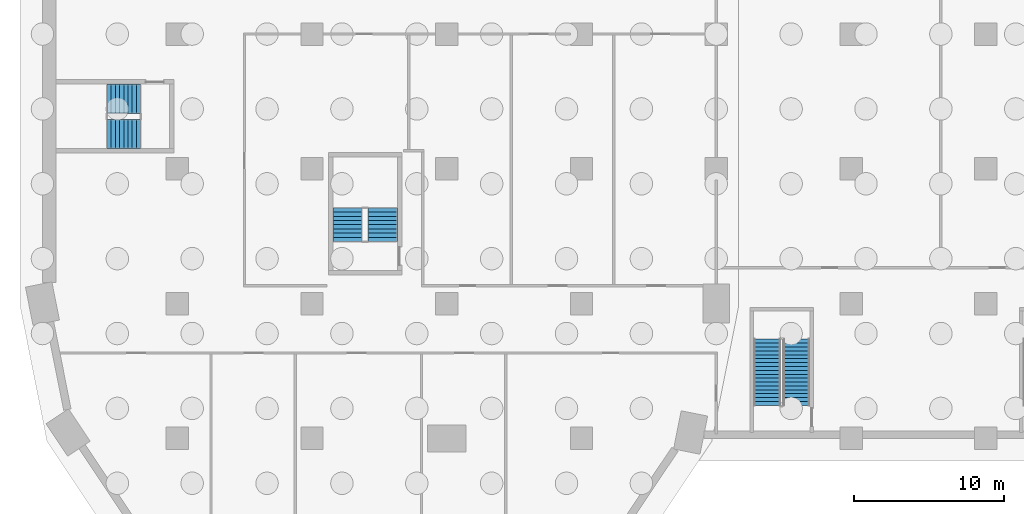
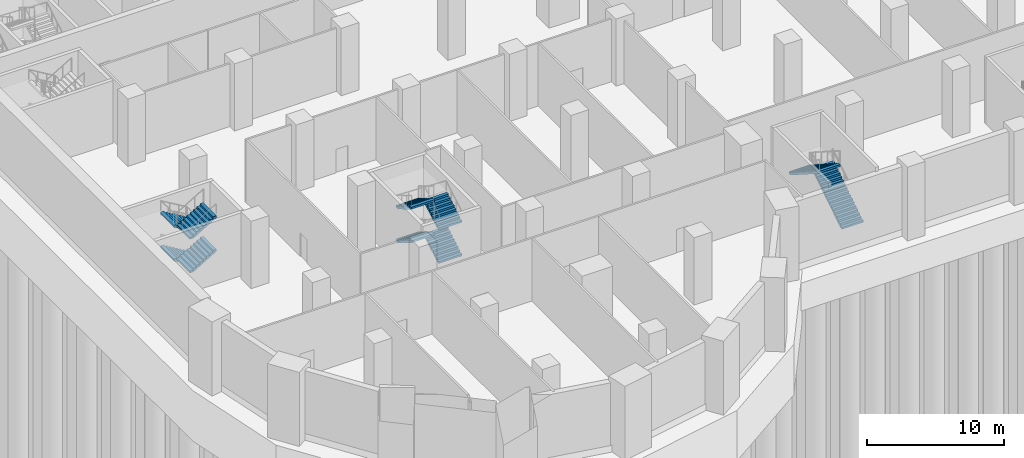
# One storey, part 11 of 25: 10 stair flights, 3 elements without a shape of their own.
"""IFC4 building model written with IfcOpenShell, lengths in metres."""

from ifc_helpers import new_model, si_unit, direction, frame, origin, place, context, subcontext, project, spatial, polyline, outline, extrude, material, type_object, element, aggregate, save


model = new_model("IFC4")

# Units and contexts
model_context = context("Model", 3, precision=1e-05, world=origin(), true_north=direction((0.0, 1.0)))
body_context = subcontext(model_context, "Body", "Model", "MODEL_VIEW")
ifc_project = project(units=[si_unit("LENGTHUNIT", "METRE"), si_unit("AREAUNIT", "SQUARE_METRE"), si_unit("VOLUMEUNIT", "CUBIC_METRE"), si_unit("PLANEANGLEUNIT", "RADIAN"), si_unit("MASSUNIT", "GRAM", prefix="KILO")], contexts=[model_context])

# Site, building, storey
site_placement = place(None, origin())
site = spatial("IfcSite", under=ifc_project, at=site_placement, CompositionType="ELEMENT")
building_placement = place(site_placement, origin())
building = spatial("IfcBuilding", under=site, at=building_placement, Name="Hunhe Ridgeline Campus", CompositionType="ELEMENT")
storey_placement = place(building_placement, frame((0.0, 0.0, -6.0)))
storey = spatial("IfcBuildingStorey", under=building, at=storey_placement, Name="B1", CompositionType="ELEMENT", Elevation=-6.0)

# Stair, stair flights
ifc_material = material(Name="Concrete C40", Category="concrete")
stair_type_1 = type_object("IfcStairType", Name="Podium exit stair 1800", PredefinedType="HALF_TURN_STAIR", material=ifc_material)
stair_1_placement = place(storey_placement, origin())
stair_1 = element("IfcStair", 1, at=stair_1_placement, inside=storey, type_object=stair_type_1, Name="B1 podium stair PS1", PredefinedType="HALF_TURN_STAIR")
stair_flight_type_1 = type_object("IfcStairFlightType", Name="Podium stair flight 1800", PredefinedType="STRAIGHT", material=ifc_material)
stair_flight_1_placement = place(storey_placement, frame((50.35009765625, 20.199951171875, 0.0), z_axis=(0.0, 0.0, 1.0), x_axis=(0.0, 1.0, 0.0)))
stair_flight_1 = element("IfcStairFlight", 2, at=stair_flight_1_placement, type_object=stair_flight_type_1, Name="PS1 flight 1", NumberOfRisers=18, NumberOfTreads=17, PredefinedType="STRAIGHT", RiserHeight=0.166666667, TreadLength=0.26, context=body_context, shape_type="SweptSolid", body=[
    extrude(outline(polyline([(0.0, 0.0), (0.0, 0.166748046875), (0.260009765625, 0.166748046875), (0.260009765625, 0.333251953125), (0.52001953125, 0.333251953125), (0.52001953125, 0.5), (0.780029296875, 0.5), (0.780029296875, 0.666748046875), (1.0400390625, 0.666748046875), (1.0400390625, 0.833251953125), (1.300048828125, 0.833251953125), (1.300048828125, 1.0), (1.56005859375, 1.0), (1.56005859375, 1.166748046875), (1.820068359375, 1.166748046875), (1.820068359375, 1.333251953125), (2.080078125, 1.333251953125), (2.080078125, 1.5), (2.340087890625, 1.5), (2.340087890625, 1.666748046875), (2.60009765625, 1.666748046875), (2.60009765625, 1.833251953125), (2.860107421875, 1.833251953125), (2.860107421875, 2.0), (3.1201171875, 2.0), (3.1201171875, 2.166748046875), (3.3798828125, 2.166748046875), (3.3798828125, 2.333251953125), (3.639892578125, 2.333251953125), (3.639892578125, 2.5), (3.89990234375, 2.5), (3.89990234375, 2.666748046875), (4.159912109375, 2.666748046875), (4.159912109375, 2.833251953125), (4.419921875, 2.833251953125), (4.419921875, 3.0), (4.419921875, 2.6552734375), (0.27783203125, 0.0), (0.0, 0.0)])), frame((0.0, 0.89990234375, 0.0), z_axis=(0.0, -1.0, 0.0), x_axis=(1.0, 0.0, 0.0)), (0.0, 0.0, 1.0), 1.800048828125),
])
stair_flight_2_placement = place(storey_placement, frame((48.39990234375, 24.6201171875, 3.0), z_axis=(0.0, 0.0, 1.0), x_axis=(0.0, -1.0, 0.0)))
stair_flight_2 = element("IfcStairFlight", 3, at=stair_flight_2_placement, type_object=stair_flight_type_1, Name="PS1 flight 2", NumberOfRisers=18, NumberOfTreads=17, PredefinedType="STRAIGHT", RiserHeight=0.166666667, TreadLength=0.26, context=body_context, shape_type="SweptSolid", body=[
    extrude(outline(polyline([(0.0, 0.0), (0.0, 0.166748046875), (0.260009765625, 0.166748046875), (0.260009765625, 0.333251953125), (0.52001953125, 0.333251953125), (0.52001953125, 0.5), (0.780029296875, 0.5), (0.780029296875, 0.666748046875), (1.0400390625, 0.666748046875), (1.0400390625, 0.833251953125), (1.300048828125, 0.833251953125), (1.300048828125, 1.0), (1.56005859375, 1.0), (1.56005859375, 1.166748046875), (1.820068359375, 1.166748046875), (1.820068359375, 1.333251953125), (2.080078125, 1.333251953125), (2.080078125, 1.5), (2.340087890625, 1.5), (2.340087890625, 1.666748046875), (2.60009765625, 1.666748046875), (2.60009765625, 1.833251953125), (2.860107421875, 1.833251953125), (2.860107421875, 2.0), (3.1201171875, 2.0), (3.1201171875, 2.166748046875), (3.3798828125, 2.166748046875), (3.3798828125, 2.333251953125), (3.639892578125, 2.333251953125), (3.639892578125, 2.5), (3.89990234375, 2.5), (3.89990234375, 2.666748046875), (4.159912109375, 2.666748046875), (4.159912109375, 2.833251953125), (4.419921875, 2.833251953125), (4.419921875, 3.0), (4.419921875, 2.6552734375), (0.27783203125, 0.0), (0.0, 0.0)])), frame((0.0, 0.89990234375, 0.0), z_axis=(0.0, -1.0, 0.0), x_axis=(1.0, 0.0, 0.0)), (0.0, 0.0, 1.0), 1.800048828125),
])
aggregate(stair_1, [stair_flight_1, stair_flight_2])

stair_type_2 = type_object("IfcStairType", Name="Reinforced concrete dog-leg stair 1950 Concrete C40", PredefinedType="HALF_TURN_STAIR", material=ifc_material)
stair_2_placement = place(storey_placement, origin())
stair_2 = element("IfcStair", 4, at=stair_2_placement, inside=storey, type_object=stair_type_2, Name="B1 W3", PredefinedType="HALF_TURN_STAIR")
stair_flight_type_2 = type_object("IfcStairFlightType", Name="Reinforced concrete stair flight 1950 Concrete C40", PredefinedType="STRAIGHT", material=ifc_material)
stair_flight_3_placement = place(storey_placement, frame((22.72509765625, 31.14990234375, 0.0), z_axis=(0.0, 0.0, 1.0), x_axis=(0.0, 1.0, 0.0)))
stair_flight_3 = element("IfcStairFlight", 5, at=stair_flight_3_placement, type_object=stair_flight_type_2, Name="ST9 flight 1", NumberOfRisers=9, NumberOfTreads=8, PredefinedType="STRAIGHT", RiserHeight=0.166666667, TreadLength=0.28, context=body_context, shape_type="SweptSolid", body=[
    extrude(outline(polyline([(0.0, 0.0), (0.0, 0.166748046875), (0.280029296875, 0.166748046875), (0.280029296875, 0.333251953125), (0.56005859375, 0.333251953125), (0.56005859375, 0.5), (0.840087890625, 0.5), (0.840087890625, 0.666748046875), (1.1201171875, 0.666748046875), (1.1201171875, 0.833251953125), (1.39990234375, 0.833251953125), (1.39990234375, 1.0), (1.679931640625, 1.0), (1.679931640625, 1.166748046875), (1.9599609375, 1.166748046875), (1.9599609375, 1.333251953125), (2.239990234375, 1.333251953125), (2.239990234375, 1.5), (2.239990234375, 1.158935546875), (0.29296875, 0.0), (0.0, 0.0)])), frame((0.0, 0.97509765625, 0.0), z_axis=(0.0, -1.0, 0.0), x_axis=(1.0, 0.0, 0.0)), (0.0, 0.0, 1.0), 1.949951171875),
    extrude(outline(polyline([(0.030029296875, 0.030029296875), (0.030029296875, 0.13671875), (0.31005859375, 0.13671875), (0.31005859375, 0.30322265625), (0.590087890625, 0.30322265625), (0.590087890625, 0.469970703125), (0.8701171875, 0.469970703125), (0.8701171875, 0.63671875), (1.14990234375, 0.63671875), (1.14990234375, 0.80322265625), (1.429931640625, 0.80322265625), (1.429931640625, 0.969970703125), (1.7099609375, 0.969970703125), (1.7099609375, 1.13671875), (1.989990234375, 1.13671875), (1.989990234375, 1.30322265625), (2.2099609375, 1.30322265625), (2.2099609375, 1.17578125), (0.284912109375, 0.030029296875), (0.030029296875, 0.030029296875)])), frame((0.0, -0.070068359375, 0.0), z_axis=(0.0, -1.0, 0.0), x_axis=(1.0, 0.0, 0.0)), (0.0, 0.0, 1.0), 0.019775390625),
    extrude(outline(polyline([(0.030029296875, 0.030029296875), (0.030029296875, 0.13671875), (0.31005859375, 0.13671875), (0.31005859375, 0.30322265625), (0.590087890625, 0.30322265625), (0.590087890625, 0.469970703125), (0.8701171875, 0.469970703125), (0.8701171875, 0.63671875), (1.14990234375, 0.63671875), (1.14990234375, 0.80322265625), (1.429931640625, 0.80322265625), (1.429931640625, 0.969970703125), (1.7099609375, 0.969970703125), (1.7099609375, 1.13671875), (1.989990234375, 1.13671875), (1.989990234375, 1.30322265625), (2.2099609375, 1.30322265625), (2.2099609375, 1.17578125), (0.284912109375, 0.030029296875), (0.030029296875, 0.030029296875)])), frame((0.0, 0.010009765625, 0.0), z_axis=(0.0, -1.0, 0.0), x_axis=(1.0, 0.0, 0.0)), (0.0, 0.0, 1.0), 0.019775390625),
    extrude(outline(polyline([(0.030029296875, 0.030029296875), (0.030029296875, 0.13671875), (0.31005859375, 0.13671875), (0.31005859375, 0.30322265625), (0.590087890625, 0.30322265625), (0.590087890625, 0.469970703125), (0.8701171875, 0.469970703125), (0.8701171875, 0.63671875), (1.14990234375, 0.63671875), (1.14990234375, 0.80322265625), (1.429931640625, 0.80322265625), (1.429931640625, 0.969970703125), (1.7099609375, 0.969970703125), (1.7099609375, 1.13671875), (1.989990234375, 1.13671875), (1.989990234375, 1.30322265625), (2.2099609375, 1.30322265625), (2.2099609375, 1.17578125), (0.284912109375, 0.030029296875), (0.030029296875, 0.030029296875)])), frame((0.0, 0.090087890625, 0.0), z_axis=(0.0, -1.0, 0.0), x_axis=(1.0, 0.0, 0.0)), (0.0, 0.0, 1.0), 0.019775390625),
])
stair_flight_4_placement = place(storey_placement, frame((20.375, 33.389892578125, 1.5), z_axis=(0.0, 0.0, 1.0), x_axis=(0.0, -1.0, 0.0)))
stair_flight_4 = element("IfcStairFlight", 6, at=stair_flight_4_placement, type_object=stair_flight_type_2, Name="ST9 flight 2", NumberOfRisers=9, NumberOfTreads=8, PredefinedType="STRAIGHT", RiserHeight=0.166666667, TreadLength=0.28, context=body_context, shape_type="SweptSolid", body=[
    extrude(outline(polyline([(0.0, 0.0), (0.0, 0.166748046875), (0.280029296875, 0.166748046875), (0.280029296875, 0.333251953125), (0.56005859375, 0.333251953125), (0.56005859375, 0.5), (0.840087890625, 0.5), (0.840087890625, 0.666748046875), (1.1201171875, 0.666748046875), (1.1201171875, 0.833251953125), (1.39990234375, 0.833251953125), (1.39990234375, 1.0), (1.679931640625, 1.0), (1.679931640625, 1.166748046875), (1.9599609375, 1.166748046875), (1.9599609375, 1.333251953125), (2.239990234375, 1.333251953125), (2.239990234375, 1.5), (2.239990234375, 1.158935546875), (0.29296875, 0.0), (0.0, 0.0)])), frame((0.0, 0.97509765625, 0.0), z_axis=(0.0, -1.0, 0.0), x_axis=(1.0, 0.0, 0.0)), (0.0, 0.0, 1.0), 1.949951171875),
    extrude(outline(polyline([(0.030029296875, 0.030029296875), (0.030029296875, 0.13671875), (0.31005859375, 0.13671875), (0.31005859375, 0.30322265625), (0.590087890625, 0.30322265625), (0.590087890625, 0.469970703125), (0.8701171875, 0.469970703125), (0.8701171875, 0.63671875), (1.14990234375, 0.63671875), (1.14990234375, 0.80322265625), (1.429931640625, 0.80322265625), (1.429931640625, 0.969970703125), (1.7099609375, 0.969970703125), (1.7099609375, 1.13671875), (1.989990234375, 1.13671875), (1.989990234375, 1.30322265625), (2.2099609375, 1.30322265625), (2.2099609375, 1.17578125), (0.284912109375, 0.030029296875), (0.030029296875, 0.030029296875)])), frame((0.0, -0.070068359375, 0.0), z_axis=(0.0, -1.0, 0.0), x_axis=(1.0, 0.0, 0.0)), (0.0, 0.0, 1.0), 0.019775390625),
    extrude(outline(polyline([(0.030029296875, 0.030029296875), (0.030029296875, 0.13671875), (0.31005859375, 0.13671875), (0.31005859375, 0.30322265625), (0.590087890625, 0.30322265625), (0.590087890625, 0.469970703125), (0.8701171875, 0.469970703125), (0.8701171875, 0.63671875), (1.14990234375, 0.63671875), (1.14990234375, 0.80322265625), (1.429931640625, 0.80322265625), (1.429931640625, 0.969970703125), (1.7099609375, 0.969970703125), (1.7099609375, 1.13671875), (1.989990234375, 1.13671875), (1.989990234375, 1.30322265625), (2.2099609375, 1.30322265625), (2.2099609375, 1.17578125), (0.284912109375, 0.030029296875), (0.030029296875, 0.030029296875)])), frame((0.0, 0.010009765625, 0.0), z_axis=(0.0, -1.0, 0.0), x_axis=(1.0, 0.0, 0.0)), (0.0, 0.0, 1.0), 0.019775390625),
    extrude(outline(polyline([(0.030029296875, 0.030029296875), (0.030029296875, 0.13671875), (0.31005859375, 0.13671875), (0.31005859375, 0.30322265625), (0.590087890625, 0.30322265625), (0.590087890625, 0.469970703125), (0.8701171875, 0.469970703125), (0.8701171875, 0.63671875), (1.14990234375, 0.63671875), (1.14990234375, 0.80322265625), (1.429931640625, 0.80322265625), (1.429931640625, 0.969970703125), (1.7099609375, 0.969970703125), (1.7099609375, 1.13671875), (1.989990234375, 1.13671875), (1.989990234375, 1.30322265625), (2.2099609375, 1.30322265625), (2.2099609375, 1.17578125), (0.284912109375, 0.030029296875), (0.030029296875, 0.030029296875)])), frame((0.0, 0.090087890625, 0.0), z_axis=(0.0, -1.0, 0.0), x_axis=(1.0, 0.0, 0.0)), (0.0, 0.0, 1.0), 0.019775390625),
])
stair_flight_5_placement = place(storey_placement, frame((22.72509765625, 31.14990234375, 3.0), z_axis=(0.0, 0.0, 1.0), x_axis=(0.0, 1.0, 0.0)))
stair_flight_5 = element("IfcStairFlight", 7, at=stair_flight_5_placement, type_object=stair_flight_type_2, Name="ST9 flight 3", NumberOfRisers=9, NumberOfTreads=8, PredefinedType="STRAIGHT", RiserHeight=0.166666667, TreadLength=0.28, context=body_context, shape_type="SweptSolid", body=[
    extrude(outline(polyline([(0.0, 0.0), (0.0, 0.166748046875), (0.280029296875, 0.166748046875), (0.280029296875, 0.333251953125), (0.56005859375, 0.333251953125), (0.56005859375, 0.5), (0.840087890625, 0.5), (0.840087890625, 0.666748046875), (1.1201171875, 0.666748046875), (1.1201171875, 0.833251953125), (1.39990234375, 0.833251953125), (1.39990234375, 1.0), (1.679931640625, 1.0), (1.679931640625, 1.166748046875), (1.9599609375, 1.166748046875), (1.9599609375, 1.333251953125), (2.239990234375, 1.333251953125), (2.239990234375, 1.5), (2.239990234375, 1.158935546875), (0.29296875, 0.0), (0.0, 0.0)])), frame((0.0, 0.97509765625, 0.0), z_axis=(0.0, -1.0, 0.0), x_axis=(1.0, 0.0, 0.0)), (0.0, 0.0, 1.0), 1.949951171875),
    extrude(outline(polyline([(0.030029296875, 0.030029296875), (0.030029296875, 0.13671875), (0.31005859375, 0.13671875), (0.31005859375, 0.30322265625), (0.590087890625, 0.30322265625), (0.590087890625, 0.469970703125), (0.8701171875, 0.469970703125), (0.8701171875, 0.63671875), (1.14990234375, 0.63671875), (1.14990234375, 0.80322265625), (1.429931640625, 0.80322265625), (1.429931640625, 0.969970703125), (1.7099609375, 0.969970703125), (1.7099609375, 1.13671875), (1.989990234375, 1.13671875), (1.989990234375, 1.30322265625), (2.2099609375, 1.30322265625), (2.2099609375, 1.17578125), (0.284912109375, 0.030029296875), (0.030029296875, 0.030029296875)])), frame((0.0, -0.070068359375, 0.0), z_axis=(0.0, -1.0, 0.0), x_axis=(1.0, 0.0, 0.0)), (0.0, 0.0, 1.0), 0.019775390625),
    extrude(outline(polyline([(0.030029296875, 0.030029296875), (0.030029296875, 0.13671875), (0.31005859375, 0.13671875), (0.31005859375, 0.30322265625), (0.590087890625, 0.30322265625), (0.590087890625, 0.469970703125), (0.8701171875, 0.469970703125), (0.8701171875, 0.63671875), (1.14990234375, 0.63671875), (1.14990234375, 0.80322265625), (1.429931640625, 0.80322265625), (1.429931640625, 0.969970703125), (1.7099609375, 0.969970703125), (1.7099609375, 1.13671875), (1.989990234375, 1.13671875), (1.989990234375, 1.30322265625), (2.2099609375, 1.30322265625), (2.2099609375, 1.17578125), (0.284912109375, 0.030029296875), (0.030029296875, 0.030029296875)])), frame((0.0, 0.010009765625, 0.0), z_axis=(0.0, -1.0, 0.0), x_axis=(1.0, 0.0, 0.0)), (0.0, 0.0, 1.0), 0.019775390625),
    extrude(outline(polyline([(0.030029296875, 0.030029296875), (0.030029296875, 0.13671875), (0.31005859375, 0.13671875), (0.31005859375, 0.30322265625), (0.590087890625, 0.30322265625), (0.590087890625, 0.469970703125), (0.8701171875, 0.469970703125), (0.8701171875, 0.63671875), (1.14990234375, 0.63671875), (1.14990234375, 0.80322265625), (1.429931640625, 0.80322265625), (1.429931640625, 0.969970703125), (1.7099609375, 0.969970703125), (1.7099609375, 1.13671875), (1.989990234375, 1.13671875), (1.989990234375, 1.30322265625), (2.2099609375, 1.30322265625), (2.2099609375, 1.17578125), (0.284912109375, 0.030029296875), (0.030029296875, 0.030029296875)])), frame((0.0, 0.090087890625, 0.0), z_axis=(0.0, -1.0, 0.0), x_axis=(1.0, 0.0, 0.0)), (0.0, 0.0, 1.0), 0.019775390625),
])
stair_flight_6_placement = place(storey_placement, frame((20.375, 33.389892578125, 4.5), z_axis=(0.0, 0.0, 1.0), x_axis=(0.0, -1.0, 0.0)))
stair_flight_6 = element("IfcStairFlight", 8, at=stair_flight_6_placement, type_object=stair_flight_type_2, Name="ST9 flight 4", NumberOfRisers=9, NumberOfTreads=8, PredefinedType="STRAIGHT", RiserHeight=0.166666667, TreadLength=0.28, context=body_context, shape_type="SweptSolid", body=[
    extrude(outline(polyline([(0.0, 0.0), (0.0, 0.166748046875), (0.280029296875, 0.166748046875), (0.280029296875, 0.333251953125), (0.56005859375, 0.333251953125), (0.56005859375, 0.5), (0.840087890625, 0.5), (0.840087890625, 0.666748046875), (1.1201171875, 0.666748046875), (1.1201171875, 0.833251953125), (1.39990234375, 0.833251953125), (1.39990234375, 1.0), (1.679931640625, 1.0), (1.679931640625, 1.166748046875), (1.9599609375, 1.166748046875), (1.9599609375, 1.333251953125), (2.239990234375, 1.333251953125), (2.239990234375, 1.5), (2.239990234375, 1.158935546875), (0.29296875, 0.0), (0.0, 0.0)])), frame((0.0, 0.97509765625, 0.0), z_axis=(0.0, -1.0, 0.0), x_axis=(1.0, 0.0, 0.0)), (0.0, 0.0, 1.0), 1.949951171875),
    extrude(outline(polyline([(0.030029296875, 0.030029296875), (0.030029296875, 0.13671875), (0.31005859375, 0.13671875), (0.31005859375, 0.30322265625), (0.590087890625, 0.30322265625), (0.590087890625, 0.469970703125), (0.8701171875, 0.469970703125), (0.8701171875, 0.63671875), (1.14990234375, 0.63671875), (1.14990234375, 0.80322265625), (1.429931640625, 0.80322265625), (1.429931640625, 0.969970703125), (1.7099609375, 0.969970703125), (1.7099609375, 1.13671875), (1.989990234375, 1.13671875), (1.989990234375, 1.30322265625), (2.2099609375, 1.30322265625), (2.2099609375, 1.17578125), (0.284912109375, 0.030029296875), (0.030029296875, 0.030029296875)])), frame((0.0, -0.070068359375, 0.0), z_axis=(0.0, -1.0, 0.0), x_axis=(1.0, 0.0, 0.0)), (0.0, 0.0, 1.0), 0.019775390625),
    extrude(outline(polyline([(0.030029296875, 0.030029296875), (0.030029296875, 0.13671875), (0.31005859375, 0.13671875), (0.31005859375, 0.30322265625), (0.590087890625, 0.30322265625), (0.590087890625, 0.469970703125), (0.8701171875, 0.469970703125), (0.8701171875, 0.63671875), (1.14990234375, 0.63671875), (1.14990234375, 0.80322265625), (1.429931640625, 0.80322265625), (1.429931640625, 0.969970703125), (1.7099609375, 0.969970703125), (1.7099609375, 1.13671875), (1.989990234375, 1.13671875), (1.989990234375, 1.30322265625), (2.2099609375, 1.30322265625), (2.2099609375, 1.17578125), (0.284912109375, 0.030029296875), (0.030029296875, 0.030029296875)])), frame((0.0, 0.010009765625, 0.0), z_axis=(0.0, -1.0, 0.0), x_axis=(1.0, 0.0, 0.0)), (0.0, 0.0, 1.0), 0.019775390625),
    extrude(outline(polyline([(0.030029296875, 0.030029296875), (0.030029296875, 0.13671875), (0.31005859375, 0.13671875), (0.31005859375, 0.30322265625), (0.590087890625, 0.30322265625), (0.590087890625, 0.469970703125), (0.8701171875, 0.469970703125), (0.8701171875, 0.63671875), (1.14990234375, 0.63671875), (1.14990234375, 0.80322265625), (1.429931640625, 0.80322265625), (1.429931640625, 0.969970703125), (1.7099609375, 0.969970703125), (1.7099609375, 1.13671875), (1.989990234375, 1.13671875), (1.989990234375, 1.30322265625), (2.2099609375, 1.30322265625), (2.2099609375, 1.17578125), (0.284912109375, 0.030029296875), (0.030029296875, 0.030029296875)])), frame((0.0, 0.090087890625, 0.0), z_axis=(0.0, -1.0, 0.0), x_axis=(1.0, 0.0, 0.0)), (0.0, 0.0, 1.0), 0.019775390625),
])
aggregate(stair_2, [stair_flight_3, stair_flight_4, stair_flight_5, stair_flight_6])

stair_3_placement = place(storey_placement, origin())
stair_3 = element("IfcStair", 9, at=stair_3_placement, inside=storey, type_object=stair_type_2, Name="B1 W1", PredefinedType="HALF_TURN_STAIR")
stair_flight_7_placement = place(storey_placement, frame((6.550048828125, 40.675048828125, 0.0), z_axis=(0.0, 0.0, 1.0), x_axis=(-1.0, 0.0, 0.0)))
stair_flight_7 = element("IfcStairFlight", 10, at=stair_flight_7_placement, type_object=stair_flight_type_2, Name="ST11 flight 1", NumberOfRisers=9, NumberOfTreads=8, PredefinedType="STRAIGHT", RiserHeight=0.166666667, TreadLength=0.28, context=body_context, shape_type="SweptSolid", body=[
    extrude(outline(polyline([(0.0, 0.0), (0.0, 0.166748046875), (0.280029296875, 0.166748046875), (0.280029296875, 0.333251953125), (0.56005859375, 0.333251953125), (0.56005859375, 0.5), (0.840087890625, 0.5), (0.840087890625, 0.666748046875), (1.1201171875, 0.666748046875), (1.1201171875, 0.833251953125), (1.39990234375, 0.833251953125), (1.39990234375, 1.0), (1.679931640625, 1.0), (1.679931640625, 1.166748046875), (1.9599609375, 1.166748046875), (1.9599609375, 1.333251953125), (2.239990234375, 1.333251953125), (2.239990234375, 1.5), (2.239990234375, 1.158935546875), (0.29296875, 0.0), (0.0, 0.0)])), frame((0.0, 0.97509765625, 0.0), z_axis=(0.0, -1.0, 0.0), x_axis=(1.0, 0.0, 0.0)), (0.0, 0.0, 1.0), 1.949951171875),
    extrude(outline(polyline([(0.030029296875, 0.030029296875), (0.030029296875, 0.13671875), (0.31005859375, 0.13671875), (0.31005859375, 0.30322265625), (0.590087890625, 0.30322265625), (0.590087890625, 0.469970703125), (0.8701171875, 0.469970703125), (0.8701171875, 0.63671875), (1.14990234375, 0.63671875), (1.14990234375, 0.80322265625), (1.429931640625, 0.80322265625), (1.429931640625, 0.969970703125), (1.7099609375, 0.969970703125), (1.7099609375, 1.13671875), (1.989990234375, 1.13671875), (1.989990234375, 1.30322265625), (2.2099609375, 1.30322265625), (2.2099609375, 1.17578125), (0.284912109375, 0.030029296875), (0.030029296875, 0.030029296875)])), frame((0.0, -0.070068359375, 0.0), z_axis=(0.0, -1.0, 0.0), x_axis=(1.0, 0.0, 0.0)), (0.0, 0.0, 1.0), 0.019775390625),
    extrude(outline(polyline([(0.030029296875, 0.030029296875), (0.030029296875, 0.13671875), (0.31005859375, 0.13671875), (0.31005859375, 0.30322265625), (0.590087890625, 0.30322265625), (0.590087890625, 0.469970703125), (0.8701171875, 0.469970703125), (0.8701171875, 0.63671875), (1.14990234375, 0.63671875), (1.14990234375, 0.80322265625), (1.429931640625, 0.80322265625), (1.429931640625, 0.969970703125), (1.7099609375, 0.969970703125), (1.7099609375, 1.13671875), (1.989990234375, 1.13671875), (1.989990234375, 1.30322265625), (2.2099609375, 1.30322265625), (2.2099609375, 1.17578125), (0.284912109375, 0.030029296875), (0.030029296875, 0.030029296875)])), frame((0.0, 0.010009765625, 0.0), z_axis=(0.0, -1.0, 0.0), x_axis=(1.0, 0.0, 0.0)), (0.0, 0.0, 1.0), 0.019775390625),
    extrude(outline(polyline([(0.030029296875, 0.030029296875), (0.030029296875, 0.13671875), (0.31005859375, 0.13671875), (0.31005859375, 0.30322265625), (0.590087890625, 0.30322265625), (0.590087890625, 0.469970703125), (0.8701171875, 0.469970703125), (0.8701171875, 0.63671875), (1.14990234375, 0.63671875), (1.14990234375, 0.80322265625), (1.429931640625, 0.80322265625), (1.429931640625, 0.969970703125), (1.7099609375, 0.969970703125), (1.7099609375, 1.13671875), (1.989990234375, 1.13671875), (1.989990234375, 1.30322265625), (2.2099609375, 1.30322265625), (2.2099609375, 1.17578125), (0.284912109375, 0.030029296875), (0.030029296875, 0.030029296875)])), frame((0.0, 0.090087890625, 0.0), z_axis=(0.0, -1.0, 0.0), x_axis=(1.0, 0.0, 0.0)), (0.0, 0.0, 1.0), 0.019775390625),
])
stair_flight_8_placement = place(storey_placement, frame((4.31005859375, 38.324951171875, 1.5), z_axis=(0.0, 0.0, 1.0), x_axis=(1.0, 0.0, 0.0)))
stair_flight_8 = element("IfcStairFlight", 11, at=stair_flight_8_placement, type_object=stair_flight_type_2, Name="ST11 flight 2", NumberOfRisers=9, NumberOfTreads=8, PredefinedType="STRAIGHT", RiserHeight=0.166666667, TreadLength=0.28, context=body_context, shape_type="SweptSolid", body=[
    extrude(outline(polyline([(0.0, 0.0), (0.0, 0.166748046875), (0.280029296875, 0.166748046875), (0.280029296875, 0.333251953125), (0.56005859375, 0.333251953125), (0.56005859375, 0.5), (0.840087890625, 0.5), (0.840087890625, 0.666748046875), (1.1201171875, 0.666748046875), (1.1201171875, 0.833251953125), (1.39990234375, 0.833251953125), (1.39990234375, 1.0), (1.679931640625, 1.0), (1.679931640625, 1.166748046875), (1.9599609375, 1.166748046875), (1.9599609375, 1.333251953125), (2.239990234375, 1.333251953125), (2.239990234375, 1.5), (2.239990234375, 1.158935546875), (0.29296875, 0.0), (0.0, 0.0)])), frame((0.0, 0.97509765625, 0.0), z_axis=(0.0, -1.0, 0.0), x_axis=(1.0, 0.0, 0.0)), (0.0, 0.0, 1.0), 1.949951171875),
    extrude(outline(polyline([(0.030029296875, 0.030029296875), (0.030029296875, 0.13671875), (0.31005859375, 0.13671875), (0.31005859375, 0.30322265625), (0.590087890625, 0.30322265625), (0.590087890625, 0.469970703125), (0.8701171875, 0.469970703125), (0.8701171875, 0.63671875), (1.14990234375, 0.63671875), (1.14990234375, 0.80322265625), (1.429931640625, 0.80322265625), (1.429931640625, 0.969970703125), (1.7099609375, 0.969970703125), (1.7099609375, 1.13671875), (1.989990234375, 1.13671875), (1.989990234375, 1.30322265625), (2.2099609375, 1.30322265625), (2.2099609375, 1.17578125), (0.284912109375, 0.030029296875), (0.030029296875, 0.030029296875)])), frame((0.0, -0.070068359375, 0.0), z_axis=(0.0, -1.0, 0.0), x_axis=(1.0, 0.0, 0.0)), (0.0, 0.0, 1.0), 0.019775390625),
    extrude(outline(polyline([(0.030029296875, 0.030029296875), (0.030029296875, 0.13671875), (0.31005859375, 0.13671875), (0.31005859375, 0.30322265625), (0.590087890625, 0.30322265625), (0.590087890625, 0.469970703125), (0.8701171875, 0.469970703125), (0.8701171875, 0.63671875), (1.14990234375, 0.63671875), (1.14990234375, 0.80322265625), (1.429931640625, 0.80322265625), (1.429931640625, 0.969970703125), (1.7099609375, 0.969970703125), (1.7099609375, 1.13671875), (1.989990234375, 1.13671875), (1.989990234375, 1.30322265625), (2.2099609375, 1.30322265625), (2.2099609375, 1.17578125), (0.284912109375, 0.030029296875), (0.030029296875, 0.030029296875)])), frame((0.0, 0.010009765625, 0.0), z_axis=(0.0, -1.0, 0.0), x_axis=(1.0, 0.0, 0.0)), (0.0, 0.0, 1.0), 0.019775390625),
    extrude(outline(polyline([(0.030029296875, 0.030029296875), (0.030029296875, 0.13671875), (0.31005859375, 0.13671875), (0.31005859375, 0.30322265625), (0.590087890625, 0.30322265625), (0.590087890625, 0.469970703125), (0.8701171875, 0.469970703125), (0.8701171875, 0.63671875), (1.14990234375, 0.63671875), (1.14990234375, 0.80322265625), (1.429931640625, 0.80322265625), (1.429931640625, 0.969970703125), (1.7099609375, 0.969970703125), (1.7099609375, 1.13671875), (1.989990234375, 1.13671875), (1.989990234375, 1.30322265625), (2.2099609375, 1.30322265625), (2.2099609375, 1.17578125), (0.284912109375, 0.030029296875), (0.030029296875, 0.030029296875)])), frame((0.0, 0.090087890625, 0.0), z_axis=(0.0, -1.0, 0.0), x_axis=(1.0, 0.0, 0.0)), (0.0, 0.0, 1.0), 0.019775390625),
])
stair_flight_9_placement = place(storey_placement, frame((6.550048828125, 40.675048828125, 3.0), z_axis=(0.0, 0.0, 1.0), x_axis=(-1.0, 0.0, 0.0)))
stair_flight_9 = element("IfcStairFlight", 12, at=stair_flight_9_placement, type_object=stair_flight_type_2, Name="ST11 flight 3", NumberOfRisers=9, NumberOfTreads=8, PredefinedType="STRAIGHT", RiserHeight=0.166666667, TreadLength=0.28, context=body_context, shape_type="SweptSolid", body=[
    extrude(outline(polyline([(0.0, 0.0), (0.0, 0.166748046875), (0.280029296875, 0.166748046875), (0.280029296875, 0.333251953125), (0.56005859375, 0.333251953125), (0.56005859375, 0.5), (0.840087890625, 0.5), (0.840087890625, 0.666748046875), (1.1201171875, 0.666748046875), (1.1201171875, 0.833251953125), (1.39990234375, 0.833251953125), (1.39990234375, 1.0), (1.679931640625, 1.0), (1.679931640625, 1.166748046875), (1.9599609375, 1.166748046875), (1.9599609375, 1.333251953125), (2.239990234375, 1.333251953125), (2.239990234375, 1.5), (2.239990234375, 1.158935546875), (0.29296875, 0.0), (0.0, 0.0)])), frame((0.0, 0.97509765625, 0.0), z_axis=(0.0, -1.0, 0.0), x_axis=(1.0, 0.0, 0.0)), (0.0, 0.0, 1.0), 1.949951171875),
    extrude(outline(polyline([(0.030029296875, 0.030029296875), (0.030029296875, 0.13671875), (0.31005859375, 0.13671875), (0.31005859375, 0.30322265625), (0.590087890625, 0.30322265625), (0.590087890625, 0.469970703125), (0.8701171875, 0.469970703125), (0.8701171875, 0.63671875), (1.14990234375, 0.63671875), (1.14990234375, 0.80322265625), (1.429931640625, 0.80322265625), (1.429931640625, 0.969970703125), (1.7099609375, 0.969970703125), (1.7099609375, 1.13671875), (1.989990234375, 1.13671875), (1.989990234375, 1.30322265625), (2.2099609375, 1.30322265625), (2.2099609375, 1.17578125), (0.284912109375, 0.030029296875), (0.030029296875, 0.030029296875)])), frame((0.0, -0.070068359375, 0.0), z_axis=(0.0, -1.0, 0.0), x_axis=(1.0, 0.0, 0.0)), (0.0, 0.0, 1.0), 0.019775390625),
    extrude(outline(polyline([(0.030029296875, 0.030029296875), (0.030029296875, 0.13671875), (0.31005859375, 0.13671875), (0.31005859375, 0.30322265625), (0.590087890625, 0.30322265625), (0.590087890625, 0.469970703125), (0.8701171875, 0.469970703125), (0.8701171875, 0.63671875), (1.14990234375, 0.63671875), (1.14990234375, 0.80322265625), (1.429931640625, 0.80322265625), (1.429931640625, 0.969970703125), (1.7099609375, 0.969970703125), (1.7099609375, 1.13671875), (1.989990234375, 1.13671875), (1.989990234375, 1.30322265625), (2.2099609375, 1.30322265625), (2.2099609375, 1.17578125), (0.284912109375, 0.030029296875), (0.030029296875, 0.030029296875)])), frame((0.0, 0.010009765625, 0.0), z_axis=(0.0, -1.0, 0.0), x_axis=(1.0, 0.0, 0.0)), (0.0, 0.0, 1.0), 0.019775390625),
    extrude(outline(polyline([(0.030029296875, 0.030029296875), (0.030029296875, 0.13671875), (0.31005859375, 0.13671875), (0.31005859375, 0.30322265625), (0.590087890625, 0.30322265625), (0.590087890625, 0.469970703125), (0.8701171875, 0.469970703125), (0.8701171875, 0.63671875), (1.14990234375, 0.63671875), (1.14990234375, 0.80322265625), (1.429931640625, 0.80322265625), (1.429931640625, 0.969970703125), (1.7099609375, 0.969970703125), (1.7099609375, 1.13671875), (1.989990234375, 1.13671875), (1.989990234375, 1.30322265625), (2.2099609375, 1.30322265625), (2.2099609375, 1.17578125), (0.284912109375, 0.030029296875), (0.030029296875, 0.030029296875)])), frame((0.0, 0.090087890625, 0.0), z_axis=(0.0, -1.0, 0.0), x_axis=(1.0, 0.0, 0.0)), (0.0, 0.0, 1.0), 0.019775390625),
])
stair_flight_10_placement = place(storey_placement, frame((4.31005859375, 38.324951171875, 4.5), z_axis=(0.0, 0.0, 1.0), x_axis=(1.0, 0.0, 0.0)))
stair_flight_10 = element("IfcStairFlight", 13, at=stair_flight_10_placement, type_object=stair_flight_type_2, Name="ST11 flight 4", NumberOfRisers=9, NumberOfTreads=8, PredefinedType="STRAIGHT", RiserHeight=0.166666667, TreadLength=0.28, context=body_context, shape_type="SweptSolid", body=[
    extrude(outline(polyline([(0.0, 0.0), (0.0, 0.166748046875), (0.280029296875, 0.166748046875), (0.280029296875, 0.333251953125), (0.56005859375, 0.333251953125), (0.56005859375, 0.5), (0.840087890625, 0.5), (0.840087890625, 0.666748046875), (1.1201171875, 0.666748046875), (1.1201171875, 0.833251953125), (1.39990234375, 0.833251953125), (1.39990234375, 1.0), (1.679931640625, 1.0), (1.679931640625, 1.166748046875), (1.9599609375, 1.166748046875), (1.9599609375, 1.333251953125), (2.239990234375, 1.333251953125), (2.239990234375, 1.5), (2.239990234375, 1.158935546875), (0.29296875, 0.0), (0.0, 0.0)])), frame((0.0, 0.97509765625, 0.0), z_axis=(0.0, -1.0, 0.0), x_axis=(1.0, 0.0, 0.0)), (0.0, 0.0, 1.0), 1.949951171875),
    extrude(outline(polyline([(0.030029296875, 0.030029296875), (0.030029296875, 0.13671875), (0.31005859375, 0.13671875), (0.31005859375, 0.30322265625), (0.590087890625, 0.30322265625), (0.590087890625, 0.469970703125), (0.8701171875, 0.469970703125), (0.8701171875, 0.63671875), (1.14990234375, 0.63671875), (1.14990234375, 0.80322265625), (1.429931640625, 0.80322265625), (1.429931640625, 0.969970703125), (1.7099609375, 0.969970703125), (1.7099609375, 1.13671875), (1.989990234375, 1.13671875), (1.989990234375, 1.30322265625), (2.2099609375, 1.30322265625), (2.2099609375, 1.17578125), (0.284912109375, 0.030029296875), (0.030029296875, 0.030029296875)])), frame((0.0, -0.070068359375, 0.0), z_axis=(0.0, -1.0, 0.0), x_axis=(1.0, 0.0, 0.0)), (0.0, 0.0, 1.0), 0.019775390625),
    extrude(outline(polyline([(0.030029296875, 0.030029296875), (0.030029296875, 0.13671875), (0.31005859375, 0.13671875), (0.31005859375, 0.30322265625), (0.590087890625, 0.30322265625), (0.590087890625, 0.469970703125), (0.8701171875, 0.469970703125), (0.8701171875, 0.63671875), (1.14990234375, 0.63671875), (1.14990234375, 0.80322265625), (1.429931640625, 0.80322265625), (1.429931640625, 0.969970703125), (1.7099609375, 0.969970703125), (1.7099609375, 1.13671875), (1.989990234375, 1.13671875), (1.989990234375, 1.30322265625), (2.2099609375, 1.30322265625), (2.2099609375, 1.17578125), (0.284912109375, 0.030029296875), (0.030029296875, 0.030029296875)])), frame((0.0, 0.010009765625, 0.0), z_axis=(0.0, -1.0, 0.0), x_axis=(1.0, 0.0, 0.0)), (0.0, 0.0, 1.0), 0.019775390625),
    extrude(outline(polyline([(0.030029296875, 0.030029296875), (0.030029296875, 0.13671875), (0.31005859375, 0.13671875), (0.31005859375, 0.30322265625), (0.590087890625, 0.30322265625), (0.590087890625, 0.469970703125), (0.8701171875, 0.469970703125), (0.8701171875, 0.63671875), (1.14990234375, 0.63671875), (1.14990234375, 0.80322265625), (1.429931640625, 0.80322265625), (1.429931640625, 0.969970703125), (1.7099609375, 0.969970703125), (1.7099609375, 1.13671875), (1.989990234375, 1.13671875), (1.989990234375, 1.30322265625), (2.2099609375, 1.30322265625), (2.2099609375, 1.17578125), (0.284912109375, 0.030029296875), (0.030029296875, 0.030029296875)])), frame((0.0, 0.090087890625, 0.0), z_axis=(0.0, -1.0, 0.0), x_axis=(1.0, 0.0, 0.0)), (0.0, 0.0, 1.0), 0.019775390625),
])
aggregate(stair_3, [stair_flight_7, stair_flight_8, stair_flight_9, stair_flight_10])

save(model, "model.ifc")
